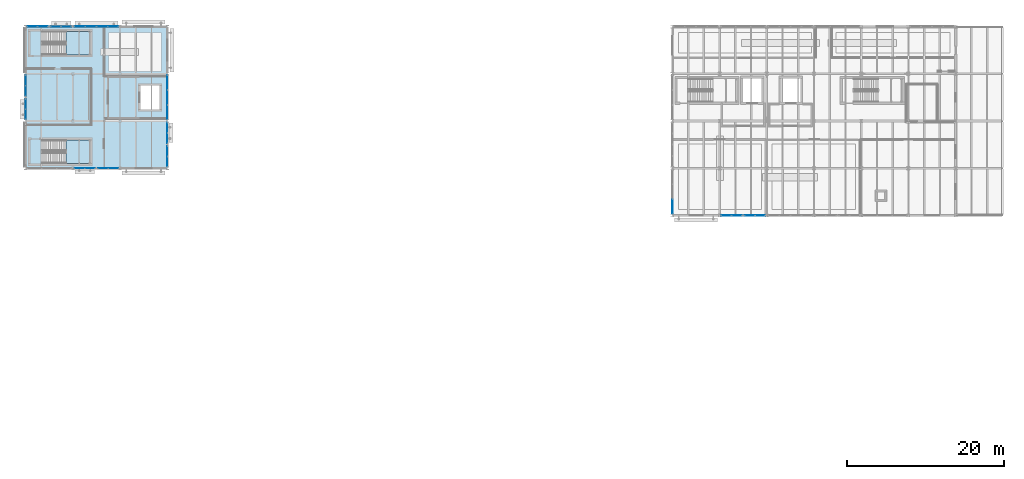
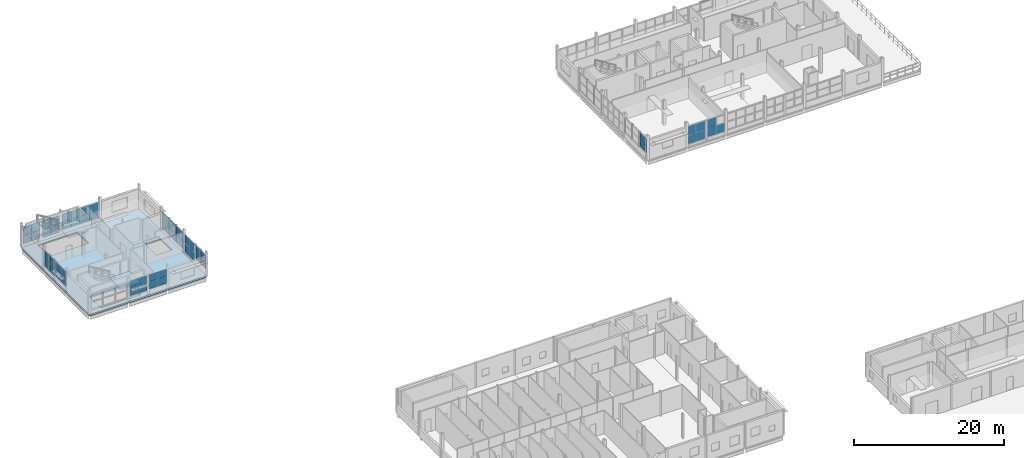
# One storey, part 22 of 45: 55 plates, 3 slabs, 15 elements without a shape of their own.
"""IFC4 building model written with IfcOpenShell, lengths in metres."""

from ifc_helpers import new_model, si_unit, direction, frame, origin, origin_2d, place, context, subcontext, project, spatial, polyline, rectangle, outline, extrude, material, layer, layer_set, type_object, element, aggregate, save


model = new_model("IFC4")

# Units and contexts
model_context = context("Model", 3, precision=1e-05, world=origin(), true_north=direction((0.0, 1.0)))
body_context = subcontext(model_context, "Body", "Model", "MODEL_VIEW")
ifc_project = project(units=[si_unit("LENGTHUNIT", "METRE"), si_unit("AREAUNIT", "SQUARE_METRE"), si_unit("VOLUMEUNIT", "CUBIC_METRE"), si_unit("PLANEANGLEUNIT", "RADIAN"), si_unit("MASSUNIT", "GRAM", prefix="KILO")], contexts=[model_context])

# Site, building, storey
site_placement = place(None, origin())
site = spatial("IfcSite", under=ifc_project, at=site_placement, CompositionType="ELEMENT")
building_placement = place(site_placement, origin())
building = spatial("IfcBuilding", under=site, at=building_placement, Name="Siltcreek Boulevard Central Fire Station", CompositionType="ELEMENT")
storey_placement = place(building_placement, frame((0.0, 0.0, 10.0)))
storey = spatial("IfcBuildingStorey", under=building, at=storey_placement, Name="L03", CompositionType="ELEMENT", Elevation=10.0)

# Curtain wall, plates
ifc_material_1 = material(Name="Anodized aluminum and low-E insulated glazing", Category="aluminium")
curtain_wall_type_1 = type_object("IfcCurtainWallType", Name="CW_SYS_19", PredefinedType="USERDEFINED", material=ifc_material_1)
curtain_wall_1_placement = place(storey_placement, origin())
curtain_wall_1 = element("IfcCurtainWall", 1, at=curtain_wall_1_placement, inside=storey, type_object=curtain_wall_type_1, Name="L03 V3 unitised curtain wall CW-048", ObjectType="CURTAIN WALL", PredefinedType="USERDEFINED")
ifc_material_2 = material(Name="Low-E double insulated glass unit", Category="glass")
ifc_layer_1 = layer(ifc_material_2, 0.028076171875, Name="Low-E double insulated glass unit")
ifc_layer_set_1 = layer_set([ifc_layer_1], Name="Low-E double insulated glass unit")
plate_type_1 = type_object("IfcPlateType", Name="CWP_GLZ_1", PredefinedType="CURTAIN_PANEL", material=ifc_layer_set_1)
plate_1_placement = place(storey_placement, frame((47.159912109375, 112.199951171875, 0.38525390625), z_axis=(0.0, 0.0, 1.0), x_axis=(-1.0, 0.0, 0.0)))
plate_1 = element("IfcPlate", 2, at=plate_1_placement, type_object=plate_type_1, Name="CW-048 panel 1.1", PredefinedType="CURTAIN_PANEL", context=body_context, shape_type="SweptSolid", body=[
    extrude(rectangle(XDim=1.260009765625, YDim=0.028076171875, at=origin_2d()), origin(), (0.0, 0.0, 1.0), 1.366943359375),
])
plate_2_placement = place(storey_placement, frame((47.159912109375, 112.199951171875, 1.81689453125), z_axis=(0.0, 0.0, 1.0), x_axis=(-1.0, 0.0, 0.0)))
plate_2 = element("IfcPlate", 3, at=plate_2_placement, type_object=plate_type_1, Name="CW-048 panel 1.2", PredefinedType="CURTAIN_PANEL", context=body_context, shape_type="SweptSolid", body=[
    extrude(rectangle(XDim=1.260009765625, YDim=0.028076171875, at=origin_2d()), origin(), (0.0, 0.0, 1.0), 1.366943359375),
])
plate_3_placement = place(storey_placement, frame((45.8349609375, 112.199951171875, 0.38525390625), z_axis=(0.0, 0.0, 1.0), x_axis=(-1.0, 0.0, 0.0)))
plate_3 = element("IfcPlate", 4, at=plate_3_placement, type_object=plate_type_1, Name="CW-048 panel 2.1", PredefinedType="CURTAIN_PANEL", context=body_context, shape_type="SweptSolid", body=[
    extrude(rectangle(XDim=1.260009765625, YDim=0.028076171875, at=origin_2d()), origin(), (0.0, 0.0, 1.0), 1.366943359375),
])
plate_4_placement = place(storey_placement, frame((45.8349609375, 112.199951171875, 1.81689453125), z_axis=(0.0, 0.0, 1.0), x_axis=(-1.0, 0.0, 0.0)))
plate_4 = element("IfcPlate", 5, at=plate_4_placement, type_object=plate_type_1, Name="CW-048 panel 2.2", PredefinedType="CURTAIN_PANEL", context=body_context, shape_type="SweptSolid", body=[
    extrude(rectangle(XDim=1.260009765625, YDim=0.028076171875, at=origin_2d()), origin(), (0.0, 0.0, 1.0), 1.366943359375),
])
aggregate(curtain_wall_1, [plate_1, plate_2, plate_3, plate_4])

curtain_wall_type_2 = type_object("IfcCurtainWallType", Name="CW_SYS_22", PredefinedType="USERDEFINED", material=ifc_material_1)
curtain_wall_2_placement = place(storey_placement, origin())
curtain_wall_2 = element("IfcCurtainWall", 6, at=curtain_wall_2_placement, inside=storey, type_object=curtain_wall_type_2, Name="L03 V3 unitised curtain wall CW-051", ObjectType="CURTAIN WALL", PredefinedType="USERDEFINED")
plate_5_placement = place(storey_placement, frame((42.0, 105.361328125, 0.73974609375), z_axis=(0.0, 0.0, 1.0), x_axis=(0.0, -1.0, 0.0)))
plate_5 = element("IfcPlate", 7, at=plate_5_placement, type_object=plate_type_1, Name="CW-051 panel 1.1", PredefinedType="CURTAIN_PANEL", context=body_context, shape_type="SweptSolid", body=[
    extrude(rectangle(XDim=1.267578125, YDim=0.028076171875, at=origin_2d()), origin(), (0.0, 0.0, 1.0), 1.196533203125),
])
plate_6_placement = place(storey_placement, frame((42.0, 105.361328125, 1.99658203125), z_axis=(0.0, 0.0, 1.0), x_axis=(0.0, -1.0, 0.0)))
plate_6 = element("IfcPlate", 8, at=plate_6_placement, type_object=plate_type_1, Name="CW-051 panel 1.2", PredefinedType="CURTAIN_PANEL", context=body_context, shape_type="SweptSolid", body=[
    extrude(rectangle(XDim=1.267578125, YDim=0.028076171875, at=origin_2d()), origin(), (0.0, 0.0, 1.0), 1.196533203125),
])
plate_7_placement = place(storey_placement, frame((42.0, 104.03369140625, 0.73974609375), z_axis=(0.0, 0.0, 1.0), x_axis=(0.0, -1.0, 0.0)))
plate_7 = element("IfcPlate", 9, at=plate_7_placement, type_object=plate_type_1, Name="CW-051 panel 2.1", PredefinedType="CURTAIN_PANEL", context=body_context, shape_type="SweptSolid", body=[
    extrude(rectangle(XDim=1.267578125, YDim=0.028076171875, at=origin_2d()), origin(), (0.0, 0.0, 1.0), 1.196533203125),
])
plate_8_placement = place(storey_placement, frame((42.0, 104.03369140625, 1.99658203125), z_axis=(0.0, 0.0, 1.0), x_axis=(0.0, -1.0, 0.0)))
plate_8 = element("IfcPlate", 10, at=plate_8_placement, type_object=plate_type_1, Name="CW-051 panel 2.2", PredefinedType="CURTAIN_PANEL", context=body_context, shape_type="SweptSolid", body=[
    extrude(rectangle(XDim=1.267578125, YDim=0.028076171875, at=origin_2d()), origin(), (0.0, 0.0, 1.0), 1.196533203125),
])
aggregate(curtain_wall_2, [plate_5, plate_6, plate_7, plate_8])

curtain_wall_type_3 = type_object("IfcCurtainWallType", Name="CW_SYS_25", PredefinedType="USERDEFINED", material=ifc_material_1)
curtain_wall_3_placement = place(storey_placement, origin())
curtain_wall_3 = element("IfcCurtainWall", 11, at=curtain_wall_3_placement, inside=storey, type_object=curtain_wall_type_3, Name="L03 V3 unitised curtain wall CW-054", ObjectType="CURTAIN WALL", PredefinedType="USERDEFINED")
plate_9_placement = place(storey_placement, frame((60.0, 98.034912109375, 0.38525390625), z_axis=(0.0, 0.0, 1.0), x_axis=(0.0, 1.0, 0.0)))
plate_9 = element("IfcPlate", 12, at=plate_9_placement, type_object=plate_type_1, Name="CW-054 panel 1.1", PredefinedType="CURTAIN_PANEL", context=body_context, shape_type="SweptSolid", body=[
    extrude(rectangle(XDim=1.260009765625, YDim=0.028076171875, at=origin_2d()), origin(), (0.0, 0.0, 1.0), 1.368896484375),
])
plate_10_placement = place(storey_placement, frame((60.0, 98.034912109375, 1.81884765625), z_axis=(0.0, 0.0, 1.0), x_axis=(0.0, 1.0, 0.0)))
plate_10 = element("IfcPlate", 13, at=plate_10_placement, type_object=plate_type_1, Name="CW-054 panel 1.2", PredefinedType="CURTAIN_PANEL", context=body_context, shape_type="SweptSolid", body=[
    extrude(rectangle(XDim=1.260009765625, YDim=0.028076171875, at=origin_2d()), origin(), (0.0, 0.0, 1.0), 1.368896484375),
])
plate_11_placement = place(storey_placement, frame((60.0, 99.360107421875, 0.38525390625), z_axis=(0.0, 0.0, 1.0), x_axis=(0.0, 1.0, 0.0)))
plate_11 = element("IfcPlate", 14, at=plate_11_placement, type_object=plate_type_1, Name="CW-054 panel 2.1", PredefinedType="CURTAIN_PANEL", context=body_context, shape_type="SweptSolid", body=[
    extrude(rectangle(XDim=1.260009765625, YDim=0.028076171875, at=origin_2d()), origin(), (0.0, 0.0, 1.0), 1.368896484375),
])
plate_12_placement = place(storey_placement, frame((60.0, 99.360107421875, 1.81884765625), z_axis=(0.0, 0.0, 1.0), x_axis=(0.0, 1.0, 0.0)))
plate_12 = element("IfcPlate", 15, at=plate_12_placement, type_object=plate_type_1, Name="CW-054 panel 2.2", PredefinedType="CURTAIN_PANEL", context=body_context, shape_type="SweptSolid", body=[
    extrude(rectangle(XDim=1.260009765625, YDim=0.028076171875, at=origin_2d()), origin(), (0.0, 0.0, 1.0), 1.368896484375),
])
aggregate(curtain_wall_3, [plate_9, plate_10, plate_11, plate_12])

curtain_wall_type_4 = type_object("IfcCurtainWallType", Name="CW_SYS_01", PredefinedType="USERDEFINED", material=ifc_material_1)
curtain_wall_4_placement = place(storey_placement, origin())
curtain_wall_4 = element("IfcCurtainWall", 16, at=curtain_wall_4_placement, inside=storey, type_object=curtain_wall_type_4, Name="L03 V5 unitised curtain wall CW-150", ObjectType="CURTAIN WALL", PredefinedType="USERDEFINED")
plate_13_placement = place(storey_placement, frame((131.0400390625, 88.199951171875, 0.38525390625), z_axis=(0.0, 0.0, 1.0), x_axis=(1.0, 0.0, 0.0)))
plate_13 = element("IfcPlate", 17, at=plate_13_placement, type_object=plate_type_1, Name="CW-150 panel 1.1", PredefinedType="CURTAIN_PANEL", context=body_context, shape_type="SweptSolid", body=[
    extrude(rectangle(XDim=1.260009765625, YDim=0.028076171875, at=origin_2d()), origin(), (0.0, 0.0, 1.0), 1.366943359375),
])
plate_14_placement = place(storey_placement, frame((131.0400390625, 88.199951171875, 1.81689453125), z_axis=(0.0, 0.0, 1.0), x_axis=(1.0, 0.0, 0.0)))
plate_14 = element("IfcPlate", 18, at=plate_14_placement, type_object=plate_type_1, Name="CW-150 panel 1.2", PredefinedType="CURTAIN_PANEL", context=body_context, shape_type="SweptSolid", body=[
    extrude(rectangle(XDim=1.260009765625, YDim=0.028076171875, at=origin_2d()), origin(), (0.0, 0.0, 1.0), 1.366943359375),
])
plate_15_placement = place(storey_placement, frame((132.364990234375, 88.199951171875, 0.38525390625), z_axis=(0.0, 0.0, 1.0), x_axis=(1.0, 0.0, 0.0)))
plate_15 = element("IfcPlate", 19, at=plate_15_placement, type_object=plate_type_1, Name="CW-150 panel 2.1", PredefinedType="CURTAIN_PANEL", context=body_context, shape_type="SweptSolid", body=[
    extrude(rectangle(XDim=1.260009765625, YDim=0.028076171875, at=origin_2d()), origin(), (0.0, 0.0, 1.0), 1.366943359375),
])
plate_16_placement = place(storey_placement, frame((132.364990234375, 88.199951171875, 1.81689453125), z_axis=(0.0, 0.0, 1.0), x_axis=(1.0, 0.0, 0.0)))
plate_16 = element("IfcPlate", 20, at=plate_16_placement, type_object=plate_type_1, Name="CW-150 panel 2.2", PredefinedType="CURTAIN_PANEL", context=body_context, shape_type="SweptSolid", body=[
    extrude(rectangle(XDim=1.260009765625, YDim=0.028076171875, at=origin_2d()), origin(), (0.0, 0.0, 1.0), 1.366943359375),
])
aggregate(curtain_wall_4, [plate_13, plate_14, plate_15, plate_16])

curtain_wall_type_5 = type_object("IfcCurtainWallType", Name="CW_SYS_17", PredefinedType="USERDEFINED", material=ifc_material_1)
curtain_wall_5_placement = place(storey_placement, origin())
curtain_wall_5 = element("IfcCurtainWall", 21, at=curtain_wall_5_placement, inside=storey, type_object=curtain_wall_type_5, Name="L03 V3 unitised curtain wall CW-046", ObjectType="CURTAIN WALL", PredefinedType="USERDEFINED")
ifc_layer_2 = layer(ifc_material_2, 0.0380859375, Name="Low-E double insulated glass unit")
ifc_layer_set_2 = layer_set([ifc_layer_2], Name="Low-E double insulated glass unit")
plate_type_2 = type_object("IfcPlateType", Name="CWP_GLZ_2", PredefinedType="CURTAIN_PANEL", material=ifc_layer_set_2)
plate_17_placement = place(storey_placement, frame((48.840087890625, 94.199951171875, 0.864990234375), z_axis=(0.0, 0.0, 1.0), x_axis=(1.0, 0.0, 0.0)))
plate_17 = element("IfcPlate", 22, at=plate_17_placement, type_object=plate_type_2, Name="CW-046 panel 1.1", PredefinedType="CURTAIN_PANEL", context=body_context, shape_type="SweptSolid", body=[
    extrude(rectangle(XDim=1.260009765625, YDim=0.0380859375, at=origin_2d()), origin(), (0.0, 0.0, 1.0), 1.126953125),
])
plate_18_placement = place(storey_placement, frame((48.840087890625, 94.199951171875, 2.05712890625), z_axis=(0.0, 0.0, 1.0), x_axis=(1.0, 0.0, 0.0)))
plate_18 = element("IfcPlate", 23, at=plate_18_placement, type_object=plate_type_2, Name="CW-046 panel 1.2", PredefinedType="CURTAIN_PANEL", context=body_context, shape_type="SweptSolid", body=[
    extrude(rectangle(XDim=1.260009765625, YDim=0.0380859375, at=origin_2d()), origin(), (0.0, 0.0, 1.0), 1.126953125),
])
plate_19_placement = place(storey_placement, frame((50.1650390625, 94.199951171875, 0.864990234375), z_axis=(0.0, 0.0, 1.0), x_axis=(1.0, 0.0, 0.0)))
plate_19 = element("IfcPlate", 24, at=plate_19_placement, type_object=plate_type_2, Name="CW-046 panel 2.1", PredefinedType="CURTAIN_PANEL", context=body_context, shape_type="SweptSolid", body=[
    extrude(rectangle(XDim=1.260009765625, YDim=0.0380859375, at=origin_2d()), origin(), (0.0, 0.0, 1.0), 1.126953125),
])
plate_20_placement = place(storey_placement, frame((50.1650390625, 94.199951171875, 2.05712890625), z_axis=(0.0, 0.0, 1.0), x_axis=(1.0, 0.0, 0.0)))
plate_20 = element("IfcPlate", 25, at=plate_20_placement, type_object=plate_type_2, Name="CW-046 panel 2.2", PredefinedType="CURTAIN_PANEL", context=body_context, shape_type="SweptSolid", body=[
    extrude(rectangle(XDim=1.260009765625, YDim=0.0380859375, at=origin_2d()), origin(), (0.0, 0.0, 1.0), 1.126953125),
])
aggregate(curtain_wall_5, [plate_17, plate_18, plate_19, plate_20])

curtain_wall_type_6 = type_object("IfcCurtainWallType", Name="CW_SYS_20", PredefinedType="USERDEFINED", material=ifc_material_1)
curtain_wall_6_placement = place(storey_placement, origin())
curtain_wall_6 = element("IfcCurtainWall", 26, at=curtain_wall_6_placement, inside=storey, type_object=curtain_wall_type_6, Name="L03 V3 unitised curtain wall CW-049", ObjectType="CURTAIN WALL", PredefinedType="USERDEFINED")
plate_21_placement = place(storey_placement, frame((44.166259765625, 112.199951171875, 0.5), z_axis=(0.0, 0.0, 1.0), x_axis=(-1.0, 0.0, 0.0)))
plate_21 = element("IfcPlate", 27, at=plate_21_placement, type_object=plate_type_2, Name="CW-049 panel 1.1", PredefinedType="CURTAIN_PANEL", context=body_context, shape_type="SweptSolid", body=[
    extrude(rectangle(XDim=1.267578125, YDim=0.0380859375, at=origin_2d()), origin(), (0.0, 0.0, 1.0), 1.314453125),
])
plate_22_placement = place(storey_placement, frame((44.166259765625, 112.199951171875, 1.87451171875), z_axis=(0.0, 0.0, 1.0), x_axis=(-1.0, 0.0, 0.0)))
plate_22 = element("IfcPlate", 28, at=plate_22_placement, type_object=plate_type_2, Name="CW-049 panel 1.2", PredefinedType="CURTAIN_PANEL", context=body_context, shape_type="SweptSolid", body=[
    extrude(rectangle(XDim=1.267578125, YDim=0.0380859375, at=origin_2d()), origin(), (0.0, 0.0, 1.0), 1.314453125),
])
plate_23_placement = place(storey_placement, frame((42.8388671875, 112.199951171875, 0.5), z_axis=(0.0, 0.0, 1.0), x_axis=(-1.0, 0.0, 0.0)))
plate_23 = element("IfcPlate", 29, at=plate_23_placement, type_object=plate_type_2, Name="CW-049 panel 2.1", PredefinedType="CURTAIN_PANEL", context=body_context, shape_type="SweptSolid", body=[
    extrude(rectangle(XDim=1.267578125, YDim=0.0380859375, at=origin_2d()), origin(), (0.0, 0.0, 1.0), 1.314453125),
])
plate_24_placement = place(storey_placement, frame((42.8388671875, 112.199951171875, 1.87451171875), z_axis=(0.0, 0.0, 1.0), x_axis=(-1.0, 0.0, 0.0)))
plate_24 = element("IfcPlate", 30, at=plate_24_placement, type_object=plate_type_2, Name="CW-049 panel 2.2", PredefinedType="CURTAIN_PANEL", context=body_context, shape_type="SweptSolid", body=[
    extrude(rectangle(XDim=1.267578125, YDim=0.0380859375, at=origin_2d()), origin(), (0.0, 0.0, 1.0), 1.314453125),
])
aggregate(curtain_wall_6, [plate_21, plate_22, plate_23, plate_24])

curtain_wall_type_7 = type_object("IfcCurtainWallType", Name="CW_SYS_23", PredefinedType="USERDEFINED", material=ifc_material_1)
curtain_wall_7_placement = place(storey_placement, origin())
curtain_wall_7 = element("IfcCurtainWall", 31, at=curtain_wall_7_placement, inside=storey, type_object=curtain_wall_type_7, Name="L03 V3 unitised curtain wall CW-052", ObjectType="CURTAIN WALL", PredefinedType="USERDEFINED")
plate_25_placement = place(storey_placement, frame((42.0, 102.364990234375, 0.864990234375), z_axis=(0.0, 0.0, 1.0), x_axis=(0.0, -1.0, 0.0)))
plate_25 = element("IfcPlate", 32, at=plate_25_placement, type_object=plate_type_2, Name="CW-052 panel 1.1", PredefinedType="CURTAIN_PANEL", context=body_context, shape_type="SweptSolid", body=[
    extrude(rectangle(XDim=1.260009765625, YDim=0.0380859375, at=origin_2d()), origin(), (0.0, 0.0, 1.0), 1.12890625),
])
plate_26_placement = place(storey_placement, frame((42.0, 102.364990234375, 2.05908203125), z_axis=(0.0, 0.0, 1.0), x_axis=(0.0, -1.0, 0.0)))
plate_26 = element("IfcPlate", 33, at=plate_26_placement, type_object=plate_type_2, Name="CW-052 panel 1.2", PredefinedType="CURTAIN_PANEL", context=body_context, shape_type="SweptSolid", body=[
    extrude(rectangle(XDim=1.260009765625, YDim=0.0380859375, at=origin_2d()), origin(), (0.0, 0.0, 1.0), 1.12890625),
])
plate_27_placement = place(storey_placement, frame((42.0, 101.0400390625, 0.864990234375), z_axis=(0.0, 0.0, 1.0), x_axis=(0.0, -1.0, 0.0)))
plate_27 = element("IfcPlate", 34, at=plate_27_placement, type_object=plate_type_2, Name="CW-052 panel 2.1", PredefinedType="CURTAIN_PANEL", context=body_context, shape_type="SweptSolid", body=[
    extrude(rectangle(XDim=1.260009765625, YDim=0.0380859375, at=origin_2d()), origin(), (0.0, 0.0, 1.0), 1.12890625),
])
plate_28_placement = place(storey_placement, frame((42.0, 101.0400390625, 2.05908203125), z_axis=(0.0, 0.0, 1.0), x_axis=(0.0, -1.0, 0.0)))
plate_28 = element("IfcPlate", 35, at=plate_28_placement, type_object=plate_type_2, Name="CW-052 panel 2.2", PredefinedType="CURTAIN_PANEL", context=body_context, shape_type="SweptSolid", body=[
    extrude(rectangle(XDim=1.260009765625, YDim=0.0380859375, at=origin_2d()), origin(), (0.0, 0.0, 1.0), 1.12890625),
])
aggregate(curtain_wall_7, [plate_25, plate_26, plate_27, plate_28])

curtain_wall_type_8 = type_object("IfcCurtainWallType", Name="CW_SYS_26", PredefinedType="USERDEFINED", material=ifc_material_1)
curtain_wall_8_placement = place(storey_placement, origin())
curtain_wall_8 = element("IfcCurtainWall", 36, at=curtain_wall_8_placement, inside=storey, type_object=curtain_wall_type_8, Name="L03 V3 unitised curtain wall CW-055", ObjectType="CURTAIN WALL", PredefinedType="USERDEFINED")
plate_29_placement = place(storey_placement, frame((60.0, 101.311767578125, 0.5), z_axis=(0.0, 0.0, 1.0), x_axis=(0.0, 1.0, 0.0)))
plate_29 = element("IfcPlate", 37, at=plate_29_placement, type_object=plate_type_2, Name="CW-055 panel 1.1", PredefinedType="CURTAIN_PANEL", context=body_context, shape_type="SweptSolid", body=[
    extrude(rectangle(XDim=1.813232421875, YDim=0.0380859375, at=origin_2d()), origin(), (0.0, 0.0, 1.0), 1.31640625),
])
plate_30_placement = place(storey_placement, frame((60.0, 101.311767578125, 1.87646484375), z_axis=(0.0, 0.0, 1.0), x_axis=(0.0, 1.0, 0.0)))
plate_30 = element("IfcPlate", 38, at=plate_30_placement, type_object=plate_type_2, Name="CW-055 panel 1.2", PredefinedType="CURTAIN_PANEL", context=body_context, shape_type="SweptSolid", body=[
    extrude(rectangle(XDim=1.813232421875, YDim=0.0380859375, at=origin_2d()), origin(), (0.0, 0.0, 1.0), 1.31640625),
])
plate_31_placement = place(storey_placement, frame((60.0, 103.199951171875, 0.5), z_axis=(0.0, 0.0, 1.0), x_axis=(0.0, 1.0, 0.0)))
plate_31 = element("IfcPlate", 39, at=plate_31_placement, type_object=plate_type_2, Name="CW-055 panel 2.1", PredefinedType="CURTAIN_PANEL", context=body_context, shape_type="SweptSolid", body=[
    extrude(rectangle(XDim=1.84326171875, YDim=0.0380859375, at=origin_2d()), origin(), (0.0, 0.0, 1.0), 1.31640625),
])
plate_32_placement = place(storey_placement, frame((60.0, 103.199951171875, 1.87646484375), z_axis=(0.0, 0.0, 1.0), x_axis=(0.0, 1.0, 0.0)))
plate_32 = element("IfcPlate", 40, at=plate_32_placement, type_object=plate_type_2, Name="CW-055 panel 2.2", PredefinedType="CURTAIN_PANEL", context=body_context, shape_type="SweptSolid", body=[
    extrude(rectangle(XDim=1.84326171875, YDim=0.0380859375, at=origin_2d()), origin(), (0.0, 0.0, 1.0), 1.31640625),
])
plate_33_placement = place(storey_placement, frame((60.0, 105.08837890625, 0.5), z_axis=(0.0, 0.0, 1.0), x_axis=(0.0, 1.0, 0.0)))
plate_33 = element("IfcPlate", 41, at=plate_33_placement, type_object=plate_type_2, Name="CW-055 panel 3.1", PredefinedType="CURTAIN_PANEL", context=body_context, shape_type="SweptSolid", body=[
    extrude(rectangle(XDim=1.813232421875, YDim=0.0380859375, at=origin_2d()), origin(), (0.0, 0.0, 1.0), 1.31640625),
])
plate_34_placement = place(storey_placement, frame((60.0, 105.08837890625, 1.87646484375), z_axis=(0.0, 0.0, 1.0), x_axis=(0.0, 1.0, 0.0)))
plate_34 = element("IfcPlate", 42, at=plate_34_placement, type_object=plate_type_2, Name="CW-055 panel 3.2", PredefinedType="CURTAIN_PANEL", context=body_context, shape_type="SweptSolid", body=[
    extrude(rectangle(XDim=1.813232421875, YDim=0.0380859375, at=origin_2d()), origin(), (0.0, 0.0, 1.0), 1.31640625),
])
aggregate(curtain_wall_8, [plate_29, plate_30, plate_31, plate_32, plate_33, plate_34])

curtain_wall_type_9 = type_object("IfcCurtainWallType", Name="CW_SYS_02", PredefinedType="USERDEFINED", material=ifc_material_1)
curtain_wall_9_placement = place(storey_placement, origin())
curtain_wall_9 = element("IfcCurtainWall", 43, at=curtain_wall_9_placement, inside=storey, type_object=curtain_wall_type_9, Name="L03 V5 unitised curtain wall CW-151", ObjectType="CURTAIN WALL", PredefinedType="USERDEFINED")
plate_35_placement = place(storey_placement, frame((134.03369140625, 88.199951171875, 0.5), z_axis=(0.0, 0.0, 1.0), x_axis=(1.0, 0.0, 0.0)))
plate_35 = element("IfcPlate", 44, at=plate_35_placement, type_object=plate_type_2, Name="CW-151 panel 1.1", PredefinedType="CURTAIN_PANEL", context=body_context, shape_type="SweptSolid", body=[
    extrude(rectangle(XDim=1.267578125, YDim=0.0380859375, at=origin_2d()), origin(), (0.0, 0.0, 1.0), 1.314453125),
])
plate_36_placement = place(storey_placement, frame((134.03369140625, 88.199951171875, 1.87451171875), z_axis=(0.0, 0.0, 1.0), x_axis=(1.0, 0.0, 0.0)))
plate_36 = element("IfcPlate", 45, at=plate_36_placement, type_object=plate_type_2, Name="CW-151 panel 1.2", PredefinedType="CURTAIN_PANEL", context=body_context, shape_type="SweptSolid", body=[
    extrude(rectangle(XDim=1.267578125, YDim=0.0380859375, at=origin_2d()), origin(), (0.0, 0.0, 1.0), 1.314453125),
])
plate_37_placement = place(storey_placement, frame((135.361328125, 88.199951171875, 0.5), z_axis=(0.0, 0.0, 1.0), x_axis=(1.0, 0.0, 0.0)))
plate_37 = element("IfcPlate", 46, at=plate_37_placement, type_object=plate_type_2, Name="CW-151 panel 2.1", PredefinedType="CURTAIN_PANEL", context=body_context, shape_type="SweptSolid", body=[
    extrude(rectangle(XDim=1.267578125, YDim=0.0380859375, at=origin_2d()), origin(), (0.0, 0.0, 1.0), 1.314453125),
])
aggregate(curtain_wall_9, [plate_35, plate_36, plate_37])

curtain_wall_type_10 = type_object("IfcCurtainWallType", Name="CW_SYS_18", PredefinedType="USERDEFINED", material=ifc_material_1)
curtain_wall_10_placement = place(storey_placement, origin())
curtain_wall_10 = element("IfcCurtainWall", 47, at=curtain_wall_10_placement, inside=storey, type_object=curtain_wall_type_10, Name="L03 V3 unitised curtain wall CW-047", ObjectType="CURTAIN WALL", PredefinedType="USERDEFINED")
ifc_layer_3 = layer(ifc_material_2, 0.048095703125, Name="Low-E double insulated glass unit")
ifc_layer_set_3 = layer_set([ifc_layer_3], Name="Low-E double insulated glass unit")
plate_type_3 = type_object("IfcPlateType", Name="CWP_GLZ_3", PredefinedType="CURTAIN_PANEL", material=ifc_layer_set_3)
plate_38_placement = place(storey_placement, frame((51.833740234375, 94.199951171875, 0.97998046875), z_axis=(0.0, 0.0, 1.0), x_axis=(1.0, 0.0, 0.0)))
plate_38 = element("IfcPlate", 48, at=plate_38_placement, type_object=plate_type_3, Name="CW-047 panel 1.1", PredefinedType="CURTAIN_PANEL", context=body_context, shape_type="SweptSolid", body=[
    extrude(rectangle(XDim=1.267578125, YDim=0.048095703125, at=origin_2d()), origin(), (0.0, 0.0, 1.0), 1.074462890625),
])
plate_39_placement = place(storey_placement, frame((51.833740234375, 94.199951171875, 2.11474609375), z_axis=(0.0, 0.0, 1.0), x_axis=(1.0, 0.0, 0.0)))
plate_39 = element("IfcPlate", 49, at=plate_39_placement, type_object=plate_type_3, Name="CW-047 panel 1.2", PredefinedType="CURTAIN_PANEL", context=body_context, shape_type="SweptSolid", body=[
    extrude(rectangle(XDim=1.267578125, YDim=0.048095703125, at=origin_2d()), origin(), (0.0, 0.0, 1.0), 1.074462890625),
])
plate_40_placement = place(storey_placement, frame((53.1611328125, 94.199951171875, 0.97998046875), z_axis=(0.0, 0.0, 1.0), x_axis=(1.0, 0.0, 0.0)))
plate_40 = element("IfcPlate", 50, at=plate_40_placement, type_object=plate_type_3, Name="CW-047 panel 2.1", PredefinedType="CURTAIN_PANEL", context=body_context, shape_type="SweptSolid", body=[
    extrude(rectangle(XDim=1.267578125, YDim=0.048095703125, at=origin_2d()), origin(), (0.0, 0.0, 1.0), 1.074462890625),
])
plate_41_placement = place(storey_placement, frame((53.1611328125, 94.199951171875, 2.11474609375), z_axis=(0.0, 0.0, 1.0), x_axis=(1.0, 0.0, 0.0)))
plate_41 = element("IfcPlate", 51, at=plate_41_placement, type_object=plate_type_3, Name="CW-047 panel 2.2", PredefinedType="CURTAIN_PANEL", context=body_context, shape_type="SweptSolid", body=[
    extrude(rectangle(XDim=1.267578125, YDim=0.048095703125, at=origin_2d()), origin(), (0.0, 0.0, 1.0), 1.074462890625),
])
aggregate(curtain_wall_10, [plate_38, plate_39, plate_40, plate_41])

curtain_wall_type_11 = type_object("IfcCurtainWallType", Name="CW_SYS_21", PredefinedType="USERDEFINED", material=ifc_material_1)
curtain_wall_11_placement = place(storey_placement, origin())
curtain_wall_11 = element("IfcCurtainWall", 52, at=curtain_wall_11_placement, inside=storey, type_object=curtain_wall_type_11, Name="L03 V3 unitised curtain wall CW-050", ObjectType="CURTAIN WALL", PredefinedType="USERDEFINED")
plate_42_placement = place(storey_placement, frame((53.125, 112.199951171875, 0.625), z_axis=(0.0, 0.0, 1.0), x_axis=(-1.0, 0.0, 0.0)))
plate_42 = element("IfcPlate", 53, at=plate_42_placement, type_object=plate_type_3, Name="CW-050 panel 1.1", PredefinedType="CURTAIN_PANEL", context=body_context, shape_type="SweptSolid", body=[
    extrude(rectangle(XDim=1.330078125, YDim=0.048095703125, at=origin_2d()), origin(), (0.0, 0.0, 1.0), 1.2470703125),
])
plate_43_placement = place(storey_placement, frame((53.125, 112.199951171875, 1.93701171875), z_axis=(0.0, 0.0, 1.0), x_axis=(-1.0, 0.0, 0.0)))
plate_43 = element("IfcPlate", 54, at=plate_43_placement, type_object=plate_type_3, Name="CW-050 panel 1.2", PredefinedType="CURTAIN_PANEL", context=body_context, shape_type="SweptSolid", body=[
    extrude(rectangle(XDim=1.330078125, YDim=0.048095703125, at=origin_2d()), origin(), (0.0, 0.0, 1.0), 1.2470703125),
])
plate_44_placement = place(storey_placement, frame((51.7138671875, 112.199951171875, 0.625), z_axis=(0.0, 0.0, 1.0), x_axis=(-1.0, 0.0, 0.0)))
plate_44 = element("IfcPlate", 55, at=plate_44_placement, type_object=plate_type_3, Name="CW-050 panel 2.1", PredefinedType="CURTAIN_PANEL", context=body_context, shape_type="SweptSolid", body=[
    extrude(rectangle(XDim=1.362548828125, YDim=0.048095703125, at=origin_2d()), origin(), (0.0, 0.0, 1.0), 1.2470703125),
])
plate_45_placement = place(storey_placement, frame((51.7138671875, 112.199951171875, 1.93701171875), z_axis=(0.0, 0.0, 1.0), x_axis=(-1.0, 0.0, 0.0)))
plate_45 = element("IfcPlate", 56, at=plate_45_placement, type_object=plate_type_3, Name="CW-050 panel 2.2", PredefinedType="CURTAIN_PANEL", context=body_context, shape_type="SweptSolid", body=[
    extrude(rectangle(XDim=1.362548828125, YDim=0.048095703125, at=origin_2d()), origin(), (0.0, 0.0, 1.0), 1.2470703125),
])
plate_46_placement = place(storey_placement, frame((50.2861328125, 112.199951171875, 0.625), z_axis=(0.0, 0.0, 1.0), x_axis=(-1.0, 0.0, 0.0)))
plate_46 = element("IfcPlate", 57, at=plate_46_placement, type_object=plate_type_3, Name="CW-050 panel 3.1", PredefinedType="CURTAIN_PANEL", context=body_context, shape_type="SweptSolid", body=[
    extrude(rectangle(XDim=1.362548828125, YDim=0.048095703125, at=origin_2d()), origin(), (0.0, 0.0, 1.0), 1.2470703125),
])
plate_47_placement = place(storey_placement, frame((50.2861328125, 112.199951171875, 1.93701171875), z_axis=(0.0, 0.0, 1.0), x_axis=(-1.0, 0.0, 0.0)))
plate_47 = element("IfcPlate", 58, at=plate_47_placement, type_object=plate_type_3, Name="CW-050 panel 3.2", PredefinedType="CURTAIN_PANEL", context=body_context, shape_type="SweptSolid", body=[
    extrude(rectangle(XDim=1.362548828125, YDim=0.048095703125, at=origin_2d()), origin(), (0.0, 0.0, 1.0), 1.2470703125),
])
plate_48_placement = place(storey_placement, frame((48.875, 112.199951171875, 0.625), z_axis=(0.0, 0.0, 1.0), x_axis=(-1.0, 0.0, 0.0)))
plate_48 = element("IfcPlate", 59, at=plate_48_placement, type_object=plate_type_3, Name="CW-050 panel 4.1", PredefinedType="CURTAIN_PANEL", context=body_context, shape_type="SweptSolid", body=[
    extrude(rectangle(XDim=1.330078125, YDim=0.048095703125, at=origin_2d()), origin(), (0.0, 0.0, 1.0), 1.2470703125),
])
plate_49_placement = place(storey_placement, frame((48.875, 112.199951171875, 1.93701171875), z_axis=(0.0, 0.0, 1.0), x_axis=(-1.0, 0.0, 0.0)))
plate_49 = element("IfcPlate", 60, at=plate_49_placement, type_object=plate_type_3, Name="CW-050 panel 4.2", PredefinedType="CURTAIN_PANEL", context=body_context, shape_type="SweptSolid", body=[
    extrude(rectangle(XDim=1.330078125, YDim=0.048095703125, at=origin_2d()), origin(), (0.0, 0.0, 1.0), 1.2470703125),
])
aggregate(curtain_wall_11, [plate_42, plate_43, plate_44, plate_45, plate_46, plate_47, plate_48, plate_49])

curtain_wall_type_12 = type_object("IfcCurtainWallType", Name="CW_SYS_24", PredefinedType="USERDEFINED", material=ifc_material_1)
curtain_wall_12_placement = place(storey_placement, origin())
curtain_wall_12 = element("IfcCurtainWall", 61, at=curtain_wall_12_placement, inside=storey, type_object=curtain_wall_type_12, Name="L03 V3 unitised curtain wall CW-053", ObjectType="CURTAIN WALL", PredefinedType="USERDEFINED")
plate_50_placement = place(storey_placement, frame((60.0, 95.038818359375, 0.97998046875), z_axis=(0.0, 0.0, 1.0), x_axis=(0.0, 1.0, 0.0)))
plate_50 = element("IfcPlate", 62, at=plate_50_placement, type_object=plate_type_3, Name="CW-053 panel 1.1", PredefinedType="CURTAIN_PANEL", context=body_context, shape_type="SweptSolid", body=[
    extrude(rectangle(XDim=1.267578125, YDim=0.048095703125, at=origin_2d()), origin(), (0.0, 0.0, 1.0), 1.076416015625),
])
plate_51_placement = place(storey_placement, frame((60.0, 95.038818359375, 2.11669921875), z_axis=(0.0, 0.0, 1.0), x_axis=(0.0, 1.0, 0.0)))
plate_51 = element("IfcPlate", 63, at=plate_51_placement, type_object=plate_type_3, Name="CW-053 panel 1.2", PredefinedType="CURTAIN_PANEL", context=body_context, shape_type="SweptSolid", body=[
    extrude(rectangle(XDim=1.267578125, YDim=0.048095703125, at=origin_2d()), origin(), (0.0, 0.0, 1.0), 1.076416015625),
])
plate_52_placement = place(storey_placement, frame((60.0, 96.3662109375, 0.97998046875), z_axis=(0.0, 0.0, 1.0), x_axis=(0.0, 1.0, 0.0)))
plate_52 = element("IfcPlate", 64, at=plate_52_placement, type_object=plate_type_3, Name="CW-053 panel 2.1", PredefinedType="CURTAIN_PANEL", context=body_context, shape_type="SweptSolid", body=[
    extrude(rectangle(XDim=1.267578125, YDim=0.048095703125, at=origin_2d()), origin(), (0.0, 0.0, 1.0), 1.076416015625),
])
plate_53_placement = place(storey_placement, frame((60.0, 96.3662109375, 2.11669921875), z_axis=(0.0, 0.0, 1.0), x_axis=(0.0, 1.0, 0.0)))
plate_53 = element("IfcPlate", 65, at=plate_53_placement, type_object=plate_type_3, Name="CW-053 panel 2.2", PredefinedType="CURTAIN_PANEL", context=body_context, shape_type="SweptSolid", body=[
    extrude(rectangle(XDim=1.267578125, YDim=0.048095703125, at=origin_2d()), origin(), (0.0, 0.0, 1.0), 1.076416015625),
])
aggregate(curtain_wall_12, [plate_50, plate_51, plate_52, plate_53])

curtain_wall_type_13 = type_object("IfcCurtainWallType", Name="CW_SYS_12", PredefinedType="USERDEFINED", material=ifc_material_1)
curtain_wall_13_placement = place(storey_placement, origin())
curtain_wall_13 = element("IfcCurtainWall", 66, at=curtain_wall_13_placement, inside=storey, type_object=curtain_wall_type_13, Name="L03 V5 unitised curtain wall CW-161", ObjectType="CURTAIN WALL", PredefinedType="USERDEFINED")
plate_54_placement = place(storey_placement, frame((124.199951171875, 89.311767578125, 0.97998046875), z_axis=(0.0, 0.0, 1.0), x_axis=(0.0, -1.0, 0.0)))
plate_54 = element("IfcPlate", 67, at=plate_54_placement, type_object=plate_type_3, Name="CW-161 panel 3.1", PredefinedType="CURTAIN_PANEL", context=body_context, shape_type="SweptSolid", body=[
    extrude(rectangle(XDim=1.813232421875, YDim=0.048095703125, at=origin_2d()), origin(), (0.0, 0.0, 1.0), 1.076416015625),
])
plate_55_placement = place(storey_placement, frame((124.199951171875, 89.311767578125, 2.11669921875), z_axis=(0.0, 0.0, 1.0), x_axis=(0.0, -1.0, 0.0)))
plate_55 = element("IfcPlate", 68, at=plate_55_placement, type_object=plate_type_3, Name="CW-161 panel 3.2", PredefinedType="CURTAIN_PANEL", context=body_context, shape_type="SweptSolid", body=[
    extrude(rectangle(XDim=1.813232421875, YDim=0.048095703125, at=origin_2d()), origin(), (0.0, 0.0, 1.0), 1.076416015625),
])
aggregate(curtain_wall_13, [plate_54, plate_55])

# Slab
ifc_material_3 = material(Name="Concrete C35/45", Category="concrete")
ifc_layer_4 = layer(ifc_material_3, 0.280029296875, Name="Concrete C35/45")
ifc_layer_set_4 = layer_set([ifc_layer_4], Name="Concrete C35/45")
slab_type_1 = type_object("IfcSlabType", Name="SL_FLR280", PredefinedType="FLOOR", material=ifc_layer_set_4)
slab_1_placement = place(storey_placement, frame((0.0, 0.0, -0.280029296875)))
element("IfcSlab", 69, at=slab_1_placement, inside=storey, type_object=slab_type_1, Name="L03 V3 structural floor slab SL-039", PredefinedType="FLOOR", context=body_context, shape_type="SweptSolid", body=[
    extrude(outline(polyline([(42.0, 112.199951171875), (60.0, 112.199951171875), (60.0, 94.199951171875), (42.0, 94.199951171875), (42.0, 112.199951171875)]), holes=[polyline([(50.199951171875, 94.800048828125), (50.199951171875, 97.800048828125), (44.159912109375, 97.800048828125), (44.159912109375, 94.800048828125), (50.199951171875, 94.800048828125)]), polyline([(59.0, 101.699951171875), (59.0, 104.699951171875), (56.60009765625, 104.699951171875), (56.60009765625, 101.699951171875), (59.0, 101.699951171875)]), polyline([(50.199951171875, 108.60009765625), (50.199951171875, 111.60009765625), (44.159912109375, 111.60009765625), (44.159912109375, 108.60009765625), (50.199951171875, 108.60009765625)])]), origin(), (0.0, 0.0, 1.0), 0.280029296875),
])

# Stair, slab
ifc_material_4 = material(Name="Precast concrete C40/50", Category="concrete")
stair_type = type_object("IfcStairType", Name="ST_DOG_H40", PredefinedType="HALF_TURN_STAIR", material=ifc_material_4)
stair_1_placement = place(storey_placement, origin())
stair_1 = element("IfcStair", 70, at=stair_1_placement, inside=storey, type_object=stair_type, Name="L03 Enclosed exit stairway ST-V3A", PredefinedType="HALF_TURN_STAIR")
ifc_layer_5 = layer(ifc_material_4, 0.199951171875, Name="Precast concrete C40/50")
ifc_layer_set_5 = layer_set([ifc_layer_5], Name="Precast concrete C40/50")
slab_type_2 = type_object("IfcSlabType", Name="SL_LAND200", PredefinedType="LANDING", material=ifc_layer_set_5)
slab_2_placement = place(storey_placement, frame((0.0, 0.0, 1.800048828125)))
slab_2 = element("IfcSlab", 71, at=slab_2_placement, type_object=slab_type_2, Name="ST-V3A landing 1", PredefinedType="LANDING", context=body_context, shape_type="SweptSolid", body=[
    extrude(outline(polyline([(47.1298828125, 94.800048828125), (50.199951171875, 94.800048828125), (50.199951171875, 97.800048828125), (47.1298828125, 97.800048828125), (47.1298828125, 94.800048828125)])), origin(), (0.0, 0.0, 1.0), 0.199951171875),
])
aggregate(stair_1, [slab_2])

stair_2_placement = place(storey_placement, origin())
stair_2 = element("IfcStair", 72, at=stair_2_placement, inside=storey, type_object=stair_type, Name="L03 Enclosed exit stairway ST-V3B", PredefinedType="HALF_TURN_STAIR")
slab_3_placement = place(storey_placement, frame((0.0, 0.0, 1.800048828125)))
slab_3 = element("IfcSlab", 73, at=slab_3_placement, type_object=slab_type_2, Name="ST-V3B landing 1", PredefinedType="LANDING", context=body_context, shape_type="SweptSolid", body=[
    extrude(outline(polyline([(47.1298828125, 108.60009765625), (50.199951171875, 108.60009765625), (50.199951171875, 111.60009765625), (47.1298828125, 111.60009765625), (47.1298828125, 108.60009765625)])), origin(), (0.0, 0.0, 1.0), 0.199951171875),
])
aggregate(stair_2, [slab_3])

save(model, "model.ifc")
